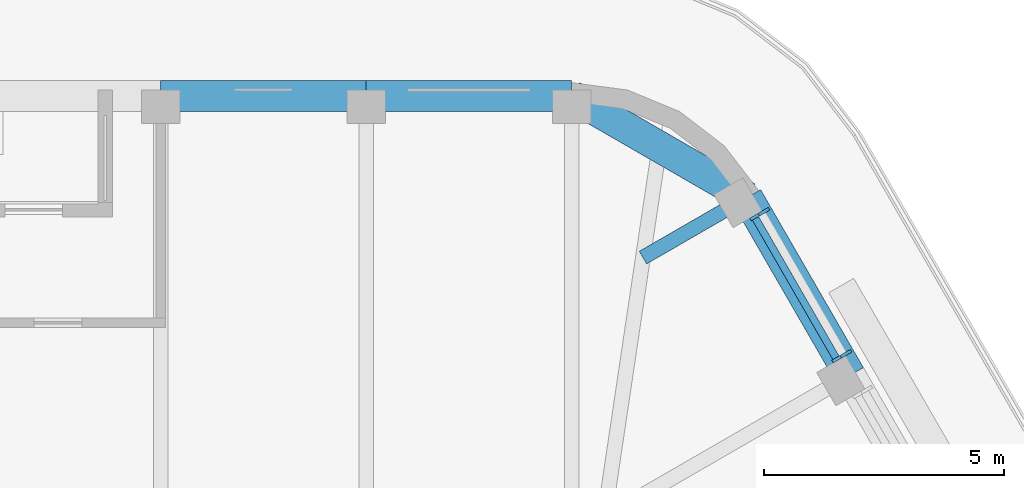
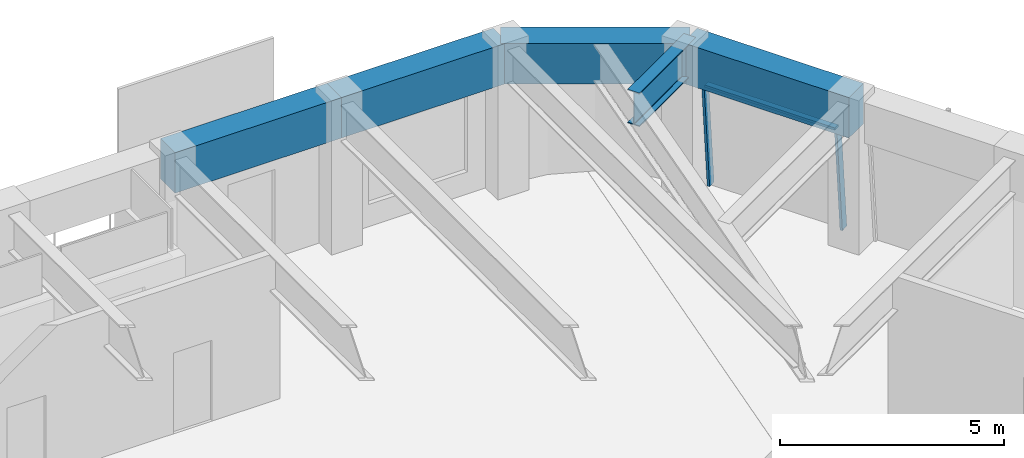
# One storey, part 11 of 20: 5 beams, 3 members, 1 element without a shape of its own.
"""IFC4 building model written with IfcOpenShell, lengths in metres."""

from ifc_helpers import new_model, si_unit, direction, frame, origin, origin_2d, place, context, subcontext, project, spatial, rectangle, i_section, extrude, material, material_profile, profile_set, type_object, element, aggregate, save


model = new_model("IFC4")

# Units and contexts
model_context = context("Model", 3, precision=1e-05, world=origin(), true_north=direction((0.0, 1.0)))
body_context = subcontext(model_context, "Body", "Model", "MODEL_VIEW")
ifc_project = project(units=[si_unit("LENGTHUNIT", "METRE"), si_unit("AREAUNIT", "SQUARE_METRE"), si_unit("VOLUMEUNIT", "CUBIC_METRE"), si_unit("PLANEANGLEUNIT", "RADIAN"), si_unit("MASSUNIT", "GRAM", prefix="KILO")], contexts=[model_context])

# Site, building, storey
site_placement = place(None, origin())
site = spatial("IfcSite", under=ifc_project, at=site_placement, CompositionType="ELEMENT")
building_placement = place(site_placement, origin())
building = spatial("IfcBuilding", under=site, at=building_placement, Name="Tarfa Lantern Tower", CompositionType="ELEMENT")
storey_placement = place(building_placement, frame((0.0, 0.0, 382.89990234375)))
storey = spatial("IfcBuildingStorey", under=building, at=storey_placement, Name="L87", CompositionType="ELEMENT", Elevation=382.89990234375)

# Curtain wall, members
ifc_material_1 = material(Name="Aluminium framed curtain wall", Category="aluminium")
curtain_wall_type = type_object("IfcCurtainWallType", Name="CW4 CANTED GLAZING EXECUTIVE ZONE 2900", PredefinedType="USERDEFINED", material=ifc_material_1)
curtain_wall_placement = place(storey_placement, origin())
curtain_wall = element("IfcCurtainWall", 1, at=curtain_wall_placement, inside=storey, type_object=curtain_wall_type, Name="CW4 NE L87", ObjectType="CURTAIN WALL", PredefinedType="USERDEFINED")
ifc_material_2 = material(Name="Aluminium mullion", Category="aluminium")
ifc_material_profile_1 = material_profile(ifc_material_2, rectangle(XDim=0.06494140625, YDim=0.199951171875, at=origin_2d()), Name="AL MULLION 65x200")
ifc_profile_set_1 = profile_set([ifc_material_profile_1], Name="Aluminium mullion")
member_type_1 = type_object("IfcMemberType", Name="CWM1 MULLION 65x200", PredefinedType="MULLION", material=ifc_profile_set_1)
member_1_placement = place(storey_placement, frame((18.581298828125, 21.1162109375, 0.0), z_axis=(-0.074393603155, -0.042941967097, 0.996303959277), x_axis=(0.499919672301, -0.866071776036, 0.0)))
member_1 = element("IfcMember", 2, at=member_1_placement, type_object=member_type_1, Name="CW4 mullion 1", PredefinedType="MULLION", context=body_context, shape_type="SweptSolid", body=[
    extrude(rectangle(XDim=0.06494140625, YDim=0.199951171875, at=origin_2d()), origin(), (0.0, 0.0, 1.0), 2.910888671875),
])
member_2_placement = place(storey_placement, frame((16.872802734375, 24.075439453125, 0.0), z_axis=(-0.074393603155, -0.042941967097, 0.996303959277), x_axis=(0.499919672301, -0.866071776036, 0.0)))
member_2 = element("IfcMember", 3, at=member_2_placement, type_object=member_type_1, Name="CW4 mullion 2", PredefinedType="MULLION", context=body_context, shape_type="SweptSolid", body=[
    extrude(rectangle(XDim=0.06494140625, YDim=0.199951171875, at=origin_2d()), origin(), (0.0, 0.0, 1.0), 2.910888671875),
])
ifc_material_3 = material(Name="Aluminium transom", Category="aluminium")
ifc_material_profile_2 = material_profile(ifc_material_3, rectangle(XDim=0.14990234375, YDim=0.06494140625, at=origin_2d()), Name="AL TRANSOM 150x65")
ifc_profile_set_2 = profile_set([ifc_material_profile_2], Name="Aluminium transom")
member_type_2 = type_object("IfcMemberType", Name="CWT1 TRANSOM 150x65", PredefinedType="USERDEFINED", material=ifc_profile_set_2)
member_3_placement = place(storey_placement, frame((18.35107421875, 21.020751953125, 2.86767578125), z_axis=(-0.500016677412, 0.866015774862, 0.0), x_axis=(-0.866015774862, -0.500016677412, 0.0)))
member_3 = element("IfcMember", 4, at=member_3_placement, type_object=member_type_2, Name="CW4 transom 1.2", ObjectType="TRANSOM", PredefinedType="USERDEFINED", context=body_context, shape_type="SweptSolid", body=[
    extrude(rectangle(XDim=0.14990234375, YDim=0.06494140625, at=origin_2d()), origin(), (0.0, 0.0, 1.0), 3.35205078125),
])
aggregate(curtain_wall, [member_1, member_2, member_3])

# Beams
ifc_material_4 = material(Name="Concrete C80/95", Category="concrete")
ifc_material_profile_3 = material_profile(ifc_material_4, rectangle(XDim=0.64990234375, YDim=1.10009765625, at=origin_2d()), Name="RC 650x1100")
ifc_profile_set_3 = profile_set([ifc_material_profile_3], Name="Concrete C80/95")
beam_type_1 = type_object("IfcBeamType", Name="EB4 RC 650x1100", PredefinedType="SPANDREL", material=ifc_profile_set_3)
beam_1_placement = place(storey_placement, frame((18.6416015625, 20.651611328125, 3.4501953125), z_axis=(-0.499959351497, 0.866048870937, 0.0), x_axis=(-0.866048870937, -0.499959351497, 0.0)))
element("IfcBeam", 5, at=beam_1_placement, inside=storey, type_object=beam_type_1, Name="Edge beam NE5", PredefinedType="SPANDREL", context=body_context, shape_type="SweptSolid", body=[
    extrude(rectangle(XDim=0.64990234375, YDim=1.10009765625, at=origin_2d()), origin(), (0.0, 0.0, 1.0), 4.281982421875),
])
beam_2_placement = place(storey_placement, frame((16.500732421875, 24.360107421875, 3.4501953125), z_axis=(-0.866048788483, 0.499959494327, 0.0), x_axis=(-0.499959494327, -0.866048788483, 0.0)))
element("IfcBeam", 6, at=beam_2_placement, inside=storey, type_object=beam_type_1, Name="Edge beam NE6", PredefinedType="SPANDREL", context=body_context, shape_type="SweptSolid", body=[
    extrude(rectangle(XDim=0.64990234375, YDim=1.10009765625, at=origin_2d()), origin(), (0.0, 0.0, 1.0), 4.219970703125),
])
for number, where, z_axis, x_axis, name in (
    (7, (12.845947265625, 26.469970703125, 3.4501953125), (-1.0, 0.0, 0.0), (0.0, -1.0, 0.0), "Edge beam N0"),
    (8, (8.56396484375, 26.469970703125, 3.4501953125), (-1.0, 0.0, 0.0), (0.0, -1.0, 0.0), "Edge beam N1"),
):
    element("IfcBeam", number, at=place(storey_placement, frame(where, z_axis=z_axis, x_axis=x_axis)), inside=storey, type_object=beam_type_1, Name=name, PredefinedType="SPANDREL", context=body_context, shape_type="SweptSolid", body=[
        extrude(rectangle(XDim=0.64990234375, YDim=1.10009765625, at=origin_2d()), origin(), (0.0, 0.0, 1.0), 4.281982421875),
    ])
ifc_material_5 = material(Name="Steel S460M", Category="steel")
ifc_material_profile_4 = material_profile(ifc_material_5, i_section(OverallWidth=0.305419921875, OverallDepth=0.91845703125, WebThickness=0.017333984375, FlangeThickness=0.02783203125, FilletRadius=0.01904296875, at=origin_2d()), Name="UB914x305x253")
ifc_profile_set_4 = profile_set([ifc_material_profile_4], Name="Steel S460M")
beam_type_2 = type_object("IfcBeamType", Name="UB914x305x253", PredefinedType="BEAM", material=ifc_profile_set_4)
beam_3_placement = place(storey_placement, frame((16.500732421875, 24.360107421875, 3.541015625), z_axis=(-0.865992557167, -0.500056887695, 0.0), x_axis=(0.500056887695, -0.865992557167, 0.0)))
element("IfcBeam", 9, at=beam_3_placement, inside=storey, type_object=beam_type_2, Name="Floor beam NE6", PredefinedType="BEAM", context=body_context, shape_type="SweptSolid", body=[
    extrude(i_section(OverallWidth=0.305419921875, OverallDepth=0.91845703125, WebThickness=0.017333984375, FlangeThickness=0.02783203125, FilletRadius=0.01904296875, at=origin_2d()), origin(), (0.0, 0.0, 1.0), 2.506591796875),
])

save(model, "model.ifc")
